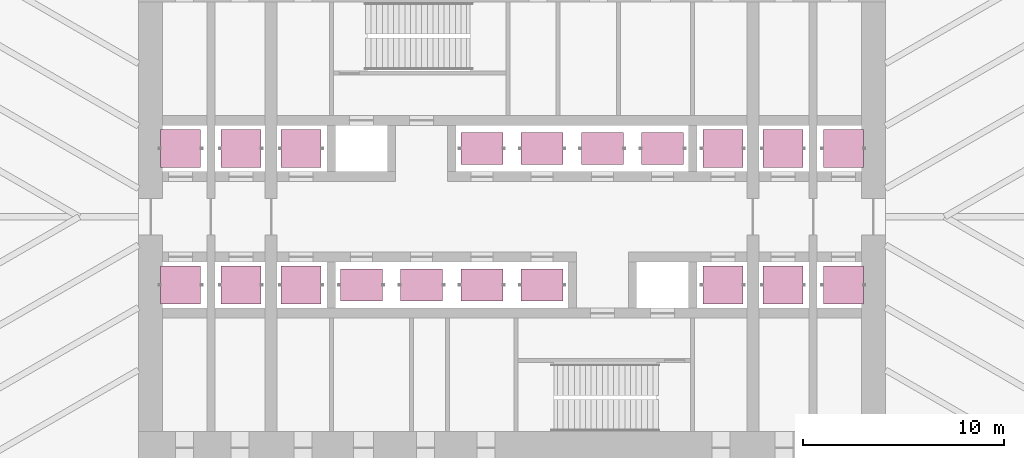
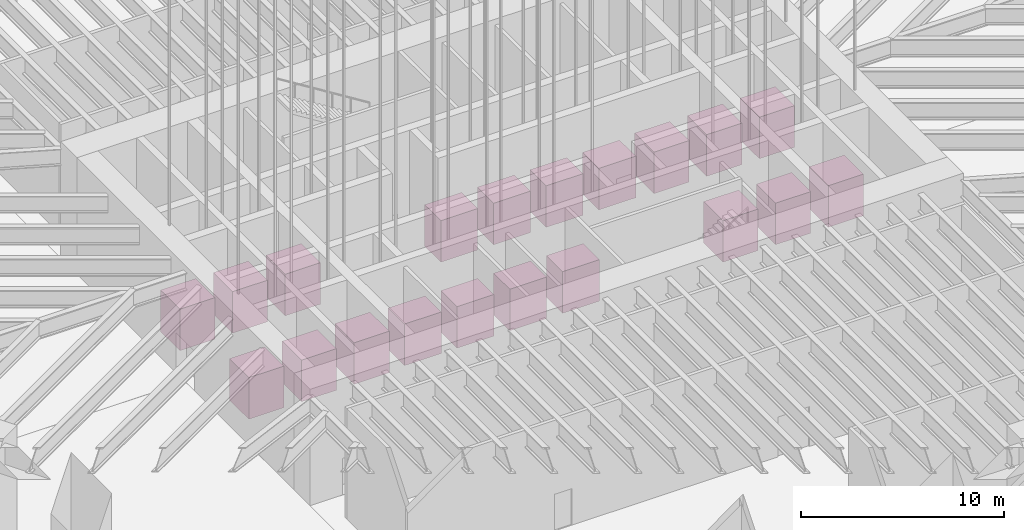
# One storey, part 14 of 23: 20 transport elements.
"""IFC4 building model written with IfcOpenShell, lengths in metres."""

from ifc_helpers import new_model, si_unit, direction, frame, origin, origin_2d, place, context, subcontext, project, spatial, rectangle, extrude, material, type_object, element, save


model = new_model("IFC4")

# Units and contexts
model_context = context("Model", 3, precision=1e-05, world=origin(), true_north=direction((0.0, 1.0)))
body_context = subcontext(model_context, "Body", "Model", "MODEL_VIEW")
ifc_project = project(units=[si_unit("LENGTHUNIT", "METRE"), si_unit("AREAUNIT", "SQUARE_METRE"), si_unit("VOLUMEUNIT", "CUBIC_METRE"), si_unit("PLANEANGLEUNIT", "RADIAN"), si_unit("MASSUNIT", "GRAM", prefix="KILO")], contexts=[model_context])

# Site, building, storey
site_placement = place(None, origin())
site = spatial("IfcSite", under=ifc_project, at=site_placement, CompositionType="ELEMENT")
building_placement = place(site_placement, origin())
building = spatial("IfcBuilding", under=site, at=building_placement, Name="Tarfa Lantern Tower", CompositionType="ELEMENT")
storey_placement = place(building_placement, origin())
storey = spatial("IfcBuildingStorey", under=building, at=storey_placement, Name="L00", CompositionType="ELEMENT", Elevation=0.0)

# Transport elements
ifc_material = material(Name="Steel lift car", Category="steel")
transport_element_type_1 = type_object("IfcTransportElementType", Name="LT1 SHUTTLE LIFT 2000 KG", PredefinedType="ELEVATOR", material=ifc_material)
for number, where, z_axis, x_axis, name in (
    (1, (-16.5, 3.39990234375, 0.0), (0.0, 0.0, 1.0), (1.0, 0.0, 0.0), "Lift S1"),
    (2, (16.5, 3.39990234375, 0.0), (0.0, 0.0, 1.0), (1.0, 0.0, 0.0), "Lift S2"),
    (3, (16.5, -3.39990234375, 0.0), (0.0, 0.0, 1.0), (1.0, 0.0, 0.0), "Lift S3"),
    (4, (-16.5, -3.39990234375, 0.0), (0.0, 0.0, 1.0), (1.0, 0.0, 0.0), "Lift S4"),
):
    element("IfcTransportElement", number, at=place(storey_placement, frame(where, z_axis=z_axis, x_axis=x_axis)), inside=storey, type_object=transport_element_type_1, Name=name, PredefinedType="ELEVATOR", context=body_context, shape_type="SweptSolid", body=[
        extrude(rectangle(XDim=2.0, YDim=1.89990234375, at=origin_2d()), origin(), (0.0, 0.0, 1.0), 2.5),
    ])
transport_element_type_2 = type_object("IfcTransportElementType", Name="LT2 SHUTTLE LIFT 2000 KG", PredefinedType="ELEVATOR", material=ifc_material)
for number, where, z_axis, x_axis, name in (
    (5, (-13.5, 3.39990234375, 0.0), (0.0, 0.0, 1.0), (1.0, 0.0, 0.0), "Lift S5"),
    (6, (13.5, 3.39990234375, 0.0), (0.0, 0.0, 1.0), (1.0, 0.0, 0.0), "Lift S6"),
    (7, (13.5, -3.39990234375, 0.0), (0.0, 0.0, 1.0), (1.0, 0.0, 0.0), "Lift S7"),
    (8, (-13.5, -3.39990234375, 0.0), (0.0, 0.0, 1.0), (1.0, 0.0, 0.0), "Lift S8"),
):
    element("IfcTransportElement", number, at=place(storey_placement, frame(where, z_axis=z_axis, x_axis=x_axis)), inside=storey, type_object=transport_element_type_2, Name=name, PredefinedType="ELEVATOR", context=body_context, shape_type="SweptSolid", body=[
        extrude(rectangle(XDim=2.0, YDim=1.89990234375, at=origin_2d()), origin(), (0.0, 0.0, 1.0), 2.5),
    ])
transport_element_type_3 = type_object("IfcTransportElementType", Name="LT3 SHUTTLE LIFT 2000 KG", PredefinedType="ELEVATOR", material=ifc_material)
for number, where, z_axis, x_axis, name in (
    (9, (-10.5, 3.39990234375, 0.0), (0.0, 0.0, 1.0), (1.0, 0.0, 0.0), "Lift S9"),
    (10, (10.5, 3.39990234375, 0.0), (0.0, 0.0, 1.0), (1.0, 0.0, 0.0), "Lift S10"),
    (11, (10.5, -3.39990234375, 0.0), (0.0, 0.0, 1.0), (1.0, 0.0, 0.0), "Lift S11"),
    (12, (-10.5, -3.39990234375, 0.0), (0.0, 0.0, 1.0), (1.0, 0.0, 0.0), "Lift S12"),
):
    element("IfcTransportElement", number, at=place(storey_placement, frame(where, z_axis=z_axis, x_axis=x_axis)), inside=storey, type_object=transport_element_type_3, Name=name, PredefinedType="ELEVATOR", context=body_context, shape_type="SweptSolid", body=[
        extrude(rectangle(XDim=2.0, YDim=1.89990234375, at=origin_2d()), origin(), (0.0, 0.0, 1.0), 2.5),
    ])
transport_element_type_4 = type_object("IfcTransportElementType", Name="LT5 PASSENGER LIFT 1600 KG", PredefinedType="ELEVATOR", material=ifc_material)
for number, where, z_axis, x_axis, name in (
    (13, (-1.5, 3.39990234375, 0.0), (0.0, 0.0, 1.0), (1.0, 0.0, 0.0), "Lift PA1"),
    (14, (1.5, 3.39990234375, 0.0), (0.0, 0.0, 1.0), (1.0, 0.0, 0.0), "Lift PA2"),
    (15, (4.5, 3.39990234375, 0.0), (0.0, 0.0, 1.0), (1.0, 0.0, 0.0), "Lift PA3"),
    (16, (7.5, 3.39990234375, 0.0), (0.0, 0.0, 1.0), (1.0, 0.0, 0.0), "Lift PA4"),
    (17, (1.5, -3.39990234375, 0.0), (0.0, 0.0, 1.0), (1.0, 0.0, 0.0), "Lift PA5"),
    (18, (-1.5, -3.39990234375, 0.0), (0.0, 0.0, 1.0), (1.0, 0.0, 0.0), "Lift PA6"),
    (19, (-4.5, -3.39990234375, 0.0), (0.0, 0.0, 1.0), (1.0, 0.0, 0.0), "Lift PA7"),
    (20, (-7.5, -3.39990234375, 0.0), (0.0, 0.0, 1.0), (1.0, 0.0, 0.0), "Lift PA8"),
):
    element("IfcTransportElement", number, at=place(storey_placement, frame(where, z_axis=z_axis, x_axis=x_axis)), inside=storey, type_object=transport_element_type_4, Name=name, PredefinedType="ELEVATOR", context=body_context, shape_type="SweptSolid", body=[
        extrude(rectangle(XDim=2.10009765625, YDim=1.60009765625, at=origin_2d()), origin(), (0.0, 0.0, 1.0), 2.5),
    ])

save(model, "model.ifc")
